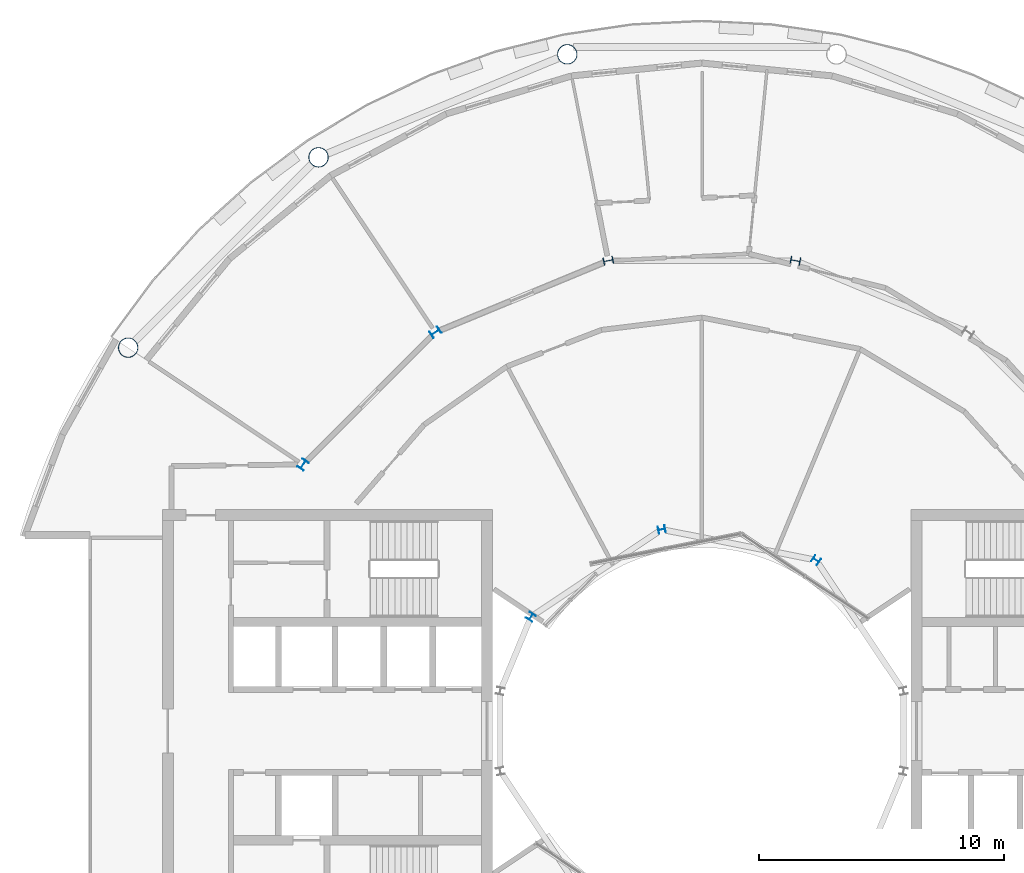
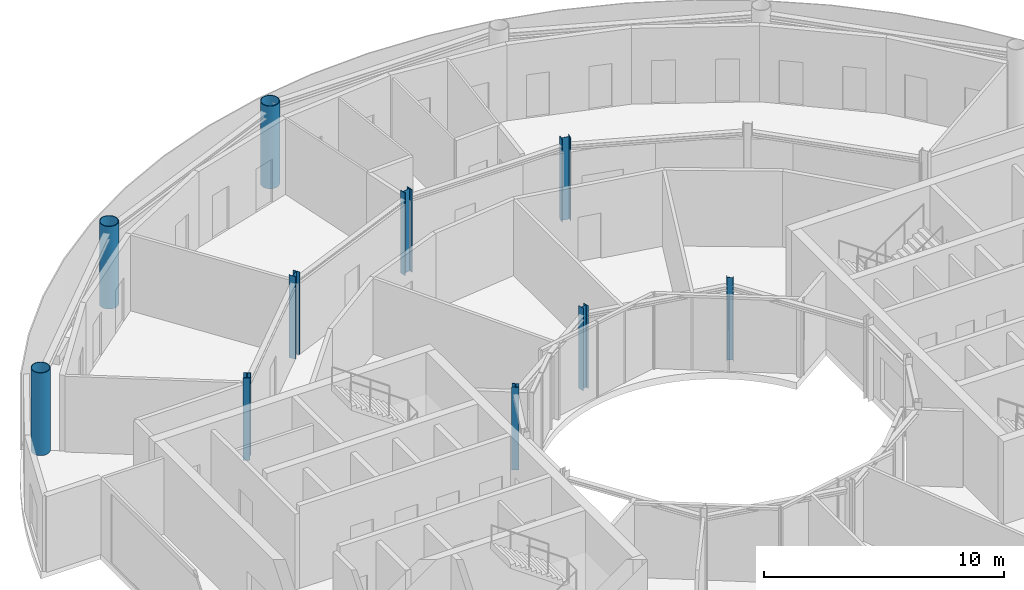
# One storey, part 4 of 22: 10 columns.
"""IFC4 building model written with IfcOpenShell, lengths in metres."""

from ifc_helpers import new_model, si_unit, direction, frame, origin, origin_2d, place, context, subcontext, project, spatial, hollow_circle, i_section, extrude, material, material_profile, profile_set, type_object, element, save


model = new_model("IFC4")

# Units and contexts
model_context = context("Model", 3, precision=1e-05, world=origin(), true_north=direction((0.0, 1.0)))
body_context = subcontext(model_context, "Body", "Model", "MODEL_VIEW")
ifc_project = project(units=[si_unit("LENGTHUNIT", "METRE"), si_unit("AREAUNIT", "SQUARE_METRE"), si_unit("VOLUMEUNIT", "CUBIC_METRE"), si_unit("PLANEANGLEUNIT", "RADIAN"), si_unit("MASSUNIT", "GRAM", prefix="KILO")], contexts=[model_context])

# Site, building, storey
site_placement = place(None, origin())
site = spatial("IfcSite", under=ifc_project, at=site_placement, CompositionType="ELEMENT")
building_placement = place(site_placement, origin())
building = spatial("IfcBuilding", under=site, at=building_placement, Name="Maasbend Ring Residences", CompositionType="ELEMENT")
storey_placement = place(building_placement, frame((0.0, 0.0, 208.5)))
storey = spatial("IfcBuildingStorey", under=building, at=storey_placement, Name="L60", CompositionType="ELEMENT", Elevation=208.5)

# Columns
ifc_material_1 = material(Name="Composite concrete-filled steel tube S460NH / C80/95", Category="concrete")
ifc_material_profile_1 = material_profile(ifc_material_1, hollow_circle(Radius=0.406494140625, WallThickness=0.030029296875, at=origin_2d()), Name="Composite tube column CHS 813x30")
ifc_profile_set_1 = profile_set([ifc_material_profile_1], Name="Composite concrete-filled steel tube S460NH / C80/95")
column_type_1 = type_object("IfcColumnType", Name="Composite tube column CHS 813x30", PredefinedType="COLUMN", material=ifc_profile_set_1)
for number, where, z_axis, x_axis, name in (
    (1, (-5.50146484375, 27.658203125, 0.0), (0.0, 0.0, 1.0), (1.0, 0.0, 0.0), "Outer column R5"),
    (2, (-15.6669921875, 23.447509765625, 0.0), (0.0, 0.0, 1.0), (1.0, 0.0, 0.0), "Outer column R6"),
    (3, (-23.447509765625, 15.6669921875, 0.0), (0.0, 0.0, 1.0), (1.0, 0.0, 0.0), "Outer column R7"),
):
    element("IfcColumn", number, at=place(storey_placement, frame(where, z_axis=z_axis, x_axis=x_axis)), inside=storey, type_object=column_type_1, Name=name, PredefinedType="COLUMN", context=body_context, shape_type="SweptSolid", body=[
        extrude(hollow_circle(Radius=0.406494140625, WallThickness=0.030029296875, at=origin_2d()), origin(), (0.0, 0.0, 1.0), 4.199951171875),
    ])
ifc_material_2 = material(Name="Steel S355J2", Category="steel")
ifc_material_profile_2 = material_profile(ifc_material_2, i_section(OverallWidth=0.300048828125, OverallDepth=0.2900390625, WebThickness=0.008544921875, FlangeThickness=0.013916015625, FilletRadius=0.027099609375, at=origin_2d()), Name="HEA 300")
ifc_profile_set_2 = profile_set([ifc_material_profile_2], Name="Steel S355J2")
column_type_2 = type_object("IfcColumnType", Name="Steel column HEA 300", PredefinedType="COLUMN", material=ifc_profile_set_2)
for number, where, z_axis, x_axis, name in (
    (4, (4.666748046875, 6.984375, 0.0), (0.0, 0.0, 1.0), (0.55557023302, 0.831469612303, 0.0), "Well ring column R3"),
    (5, (-1.638916015625, 8.238525390625, 0.0), (0.0, 0.0, 1.0), (-0.195090322016, 0.980785280403, 0.0), "Well ring column R5"),
    (6, (-6.984375, 4.666748046875, 0.0), (0.0, 0.0, 1.0), (-0.831469612303, 0.55557023302, 0.0), "Well ring column R7"),
):
    element("IfcColumn", number, at=place(storey_placement, frame(where, z_axis=z_axis, x_axis=x_axis)), inside=storey, type_object=column_type_2, Name=name, PredefinedType="COLUMN", context=body_context, shape_type="SweptSolid", body=[
        extrude(i_section(OverallWidth=0.300048828125, OverallDepth=0.2900390625, WebThickness=0.008544921875, FlangeThickness=0.013916015625, FilletRadius=0.027099609375, at=origin_2d()), origin(), (0.0, 0.0, 1.0), 4.199951171875),
    ])
ifc_material_3 = material(Name="Steel S355J2", Category="steel")
ifc_material_profile_3 = material_profile(ifc_material_3, i_section(OverallWidth=0.300048828125, OverallDepth=0.39990234375, WebThickness=0.013427734375, FlangeThickness=0.02392578125, FilletRadius=0.027099609375, at=origin_2d()), Name="HEB 400")
ifc_profile_set_3 = profile_set([ifc_material_profile_3], Name="Steel S355J2")
column_type_3 = type_object("IfcColumnType", Name="Steel column HEB 400", PredefinedType="COLUMN", material=ifc_profile_set_3)
for number, where, z_axis, x_axis, name in (
    (7, (3.82373046875, 19.223388671875, 0.0), (0.0, 0.0, 1.0), (0.195090322016, 0.980785280403, 0.0), "Corridor ring column R4"),
    (8, (-3.82373046875, 19.223388671875, 0.0), (0.0, 0.0, 1.0), (-0.195090322016, 0.980785280403, 0.0), "Corridor ring column R5"),
    (9, (-10.88916015625, 16.296875, 0.0), (0.0, 0.0, 1.0), (-0.55557023302, 0.831469612303, 0.0), "Corridor ring column R6"),
    (10, (-16.296875, 10.88916015625, 0.0), (0.0, 0.0, 1.0), (-0.831469612303, 0.55557023302, 0.0), "Corridor ring column R7"),
):
    element("IfcColumn", number, at=place(storey_placement, frame(where, z_axis=z_axis, x_axis=x_axis)), inside=storey, type_object=column_type_3, Name=name, PredefinedType="COLUMN", context=body_context, shape_type="SweptSolid", body=[
        extrude(i_section(OverallWidth=0.300048828125, OverallDepth=0.39990234375, WebThickness=0.013427734375, FlangeThickness=0.02392578125, FilletRadius=0.027099609375, at=origin_2d()), origin(), (0.0, 0.0, 1.0), 4.199951171875),
    ])

save(model, "model.ifc")
